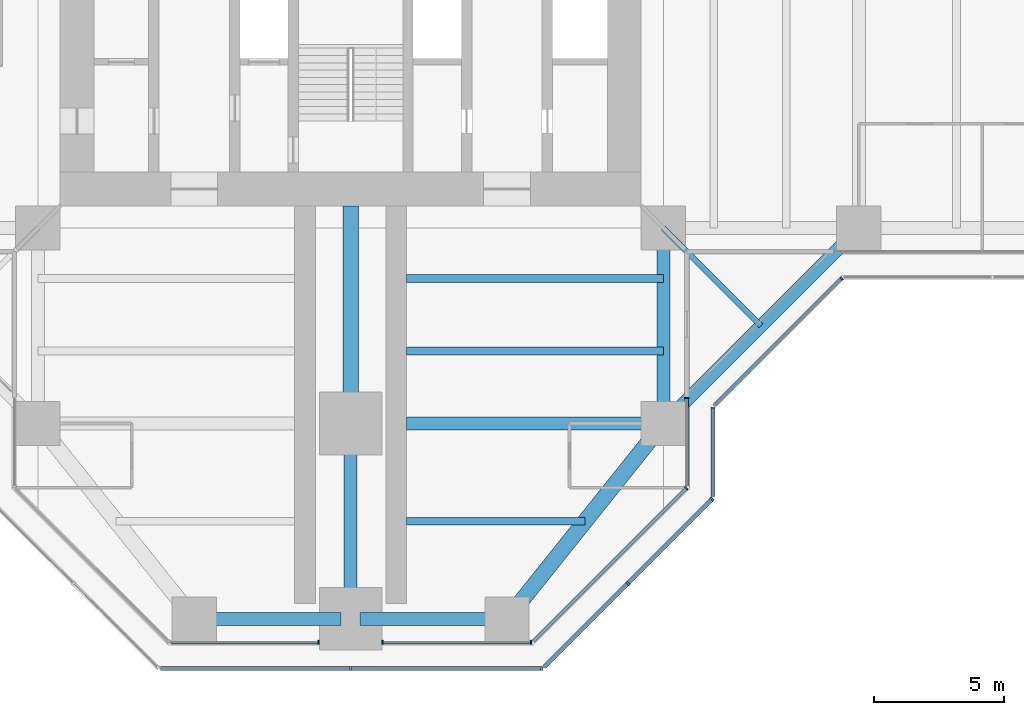
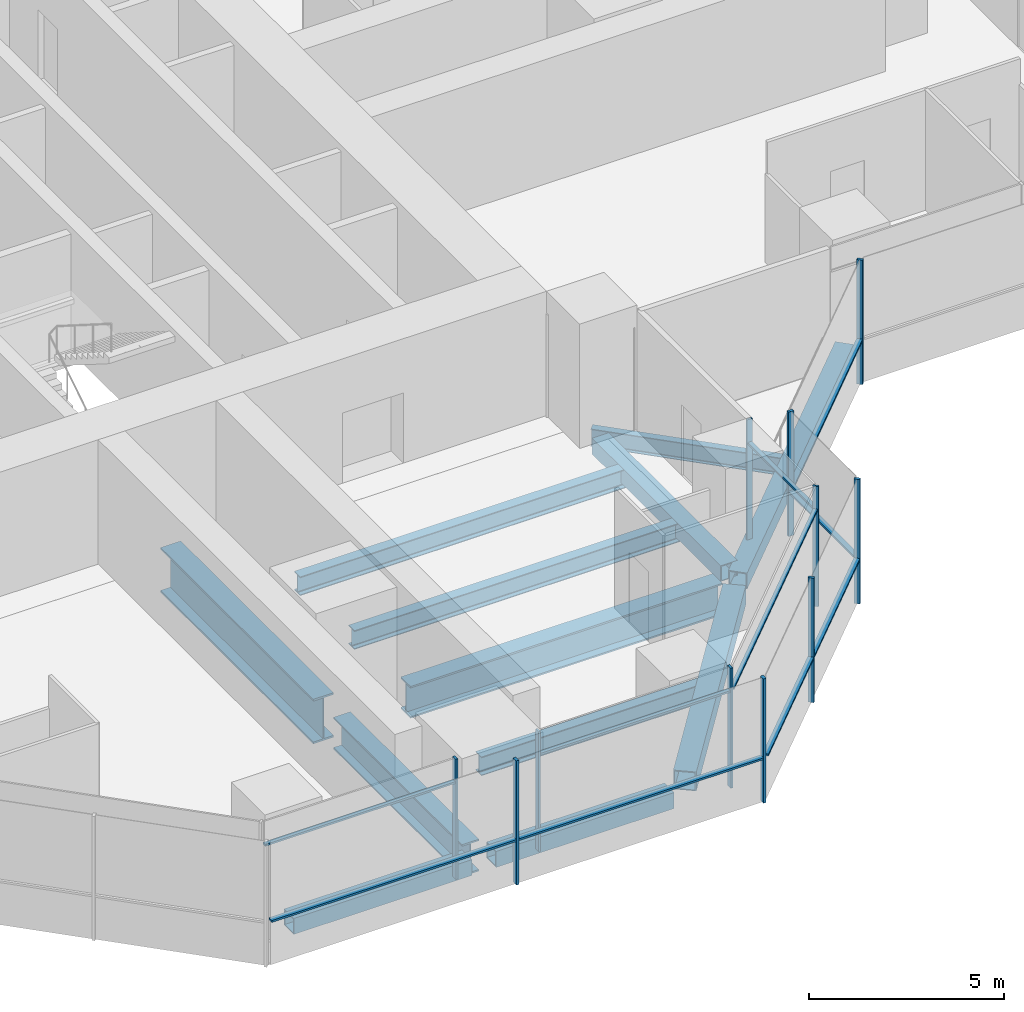
# One storey, part 4 of 20: 21 members, 12 beams, 8 elements without a shape of their own.
"""IFC4 building model written with IfcOpenShell, lengths in metres."""

from ifc_helpers import new_model, si_unit, direction, frame, origin, origin_2d, place, context, subcontext, project, spatial, rectangle, hollow_rectangle, i_section, extrude, material, material_profile, profile_set, type_object, element, aggregate, save


model = new_model("IFC4")

# Units and contexts
model_context = context("Model", 3, precision=1e-05, world=origin(), true_north=direction((0.0, 1.0)))
body_context = subcontext(model_context, "Body", "Model", "MODEL_VIEW")
ifc_project = project(units=[si_unit("LENGTHUNIT", "METRE"), si_unit("AREAUNIT", "SQUARE_METRE"), si_unit("VOLUMEUNIT", "CUBIC_METRE"), si_unit("PLANEANGLEUNIT", "RADIAN"), si_unit("MASSUNIT", "GRAM", prefix="KILO")], contexts=[model_context])

# Site, building, storey
site_placement = place(None, origin())
site = spatial("IfcSite", under=ifc_project, at=site_placement, CompositionType="ELEMENT")
building_placement = place(site_placement, origin())
building = spatial("IfcBuilding", under=site, at=building_placement, Name="Mizan Broadcast Tower", CompositionType="ELEMENT")
storey_placement = place(building_placement, frame((0.0, 0.0, 151.5)))
storey = spatial("IfcBuildingStorey", under=building, at=storey_placement, Name="L34", CompositionType="ELEMENT", Elevation=151.5)

# Beams
ifc_material_1 = material(Name="Steel S355", Category="steel")
ifc_material_profile_1 = material_profile(ifc_material_1, hollow_rectangle(XDim=0.5, YDim=0.5, WallThickness=0.030029296875, at=origin_2d()), Name="BOX 500x500x30")
ifc_profile_set_1 = profile_set([ifc_material_profile_1], Name="Steel S355")
beam_type_1 = type_object("IfcBeamType", Name="EDGE BEAM BOX 500x500x30", PredefinedType="SPANDREL", material=ifc_profile_set_1)
beam_1_placement = place(storey_placement, frame((-5.639892578125, -27.0, -0.3798828125), z_axis=(1.0, 0.0, 0.0), x_axis=(0.0, 1.0, 0.0)))
element("IfcBeam", 1, at=beam_1_placement, inside=storey, type_object=beam_type_1, Name="Edge beam BOX 500x500x30 L34 south arm", PredefinedType="SPANDREL", context=body_context, shape_type="SweptSolid", body=[
    extrude(hollow_rectangle(XDim=0.5, YDim=0.5, WallThickness=0.030029296875, at=origin_2d()), origin(), (0.0, 0.0, 1.0), 5.27978515625),
])
beam_2_placement = place(storey_placement, frame((12.0, -12.449951171875, -0.3798828125), z_axis=(0.0, -1.0, 0.0), x_axis=(1.0, 0.0, 0.0)))
element("IfcBeam", 2, at=beam_2_placement, inside=storey, type_object=beam_type_1, Name="Edge beam BOX 500x500x30 L34 south arm", PredefinedType="SPANDREL", context=body_context, shape_type="SweptSolid", body=[
    extrude(hollow_rectangle(XDim=0.5, YDim=0.5, WallThickness=0.030029296875, at=origin_2d()), origin(), (0.0, 0.0, 1.0), 6.60009765625),
])
beam_3_placement = place(storey_placement, frame((5.639892578125, -27.0, -0.3798828125), z_axis=(-1.0, 0.0, 0.0), x_axis=(0.0, -1.0, 0.0)))
element("IfcBeam", 3, at=beam_3_placement, inside=storey, type_object=beam_type_1, Name="Edge beam BOX 500x500x30 L34 south arm", PredefinedType="SPANDREL", context=body_context, shape_type="SweptSolid", body=[
    extrude(hollow_rectangle(XDim=0.5, YDim=0.5, WallThickness=0.030029296875, at=origin_2d()), origin(), (0.0, 0.0, 1.0), 5.27978515625),
])
beam_4_placement = place(storey_placement, frame((12.0, -19.5, -0.3798828125), z_axis=(0.707106781187, 0.707106781187, 0.0), x_axis=(-0.707106781187, 0.707106781187, 0.0)))
element("IfcBeam", 4, at=beam_4_placement, inside=storey, type_object=beam_type_1, Name="Winter garden edge beam L34 S", PredefinedType="SPANDREL", context=body_context, shape_type="SweptSolid", body=[
    extrude(hollow_rectangle(XDim=0.5, YDim=0.5, WallThickness=0.030029296875, at=origin_2d()), origin(), (0.0, 0.0, 1.0), 10.606689453125),
])
ifc_material_2 = material(Name="Steel S355", Category="steel")
ifc_material_profile_2 = material_profile(ifc_material_2, hollow_rectangle(XDim=0.60009765625, YDim=0.60009765625, WallThickness=0.030029296875, at=origin_2d()), Name="BOX 600x600x30")
ifc_profile_set_2 = profile_set([ifc_material_profile_2], Name="Steel S355")
beam_type_2 = type_object("IfcBeamType", Name="EDGE BEAM BOX 600x600x30", PredefinedType="SPANDREL", material=ifc_profile_set_2)
beam_5_placement = place(storey_placement, frame((11.639892578125, -19.949951171875, -0.429931640625), z_axis=(-0.624673911726, -0.780885717636, 0.0), x_axis=(0.780885717636, -0.624673911726, 0.0)))
element("IfcBeam", 5, at=beam_5_placement, inside=storey, type_object=beam_type_2, Name="Edge beam BOX 600x600x30 L34 south arm", PredefinedType="SPANDREL", context=body_context, shape_type="SweptSolid", body=[
    extrude(hollow_rectangle(XDim=0.60009765625, YDim=0.60009765625, WallThickness=0.030029296875, at=origin_2d()), origin(), (0.0, 0.0, 1.0), 8.4521484375),
])
ifc_material_3 = material(Name="Steel S460", Category="steel")
ifc_material_profile_3 = material_profile(ifc_material_3, i_section(OverallWidth=0.5, OverallDepth=1.0, WebThickness=0.02490234375, FlangeThickness=0.050048828125, at=origin_2d()), Name="WPG 1000x500")
ifc_profile_set_3 = profile_set([ifc_material_profile_3], Name="Steel S460")
beam_type_3 = type_object("IfcBeamType", Name="GIRDER WPG 1000x500", PredefinedType="BEAM", material=ifc_profile_set_3)
beam_6_placement = place(storey_placement, frame((0.0, -19.949951171875, -0.6298828125), z_axis=(0.0, -1.0, 0.0), x_axis=(1.0, 0.0, 0.0)))
element("IfcBeam", 6, at=beam_6_placement, inside=storey, type_object=beam_type_3, Name="Girder WPG 1000x500 L34 south arm", PredefinedType="BEAM", context=body_context, shape_type="SweptSolid", body=[
    extrude(i_section(OverallWidth=0.5, OverallDepth=1.0, WebThickness=0.02490234375, FlangeThickness=0.050048828125, at=origin_2d()), origin(), (0.0, 0.0, 1.0), 6.60009765625),
])
beam_7_placement = place(storey_placement, frame((11.408935546875, -19.5, -0.6298828125), z_axis=(-1.0, 0.0, 0.0), x_axis=(0.0, -1.0, 0.0)))
element("IfcBeam", 7, at=beam_7_placement, inside=storey, type_object=beam_type_3, Name="Girder WPG 1000x500 L34 south arm", PredefinedType="BEAM", context=body_context, shape_type="SweptSolid", body=[
    extrude(i_section(OverallWidth=0.5, OverallDepth=1.0, WebThickness=0.02490234375, FlangeThickness=0.050048828125, at=origin_2d()), origin(), (0.0, 0.0, 1.0), 9.259033203125),
])
ifc_material_4 = material(Name="Steel S460", Category="steel")
ifc_material_profile_4 = material_profile(ifc_material_4, i_section(OverallWidth=0.60009765625, OverallDepth=1.39990234375, WebThickness=0.02490234375, FlangeThickness=0.06005859375, at=origin_2d()), Name="WPG 1400x600")
ifc_profile_set_4 = profile_set([ifc_material_profile_4], Name="Steel S460")
beam_type_4 = type_object("IfcBeamType", Name="GIRDER WPG 1400x600", PredefinedType="BEAM", material=ifc_profile_set_4)
beam_8_placement = place(storey_placement, frame((0.0, -11.14990234375, -0.830078125), z_axis=(0.0, -1.0, 0.0), x_axis=(1.0, 0.0, 0.0)))
element("IfcBeam", 8, at=beam_8_placement, inside=storey, type_object=beam_type_4, Name="Girder WPG 1400x600 L34 south arm", PredefinedType="BEAM", context=body_context, shape_type="SweptSolid", body=[
    extrude(i_section(OverallWidth=0.60009765625, OverallDepth=1.39990234375, WebThickness=0.02490234375, FlangeThickness=0.06005859375, at=origin_2d()), origin(), (0.0, 0.0, 1.0), 7.84912109375),
])

# Curtain wall, member
ifc_material_5 = material(Name="Aluminium framed glazing", Category="aluminium")
curtain_wall_type_1 = type_object("IfcCurtainWallType", Name="INNER SKIN MID ZONE", PredefinedType="USERDEFINED", material=ifc_material_5)
curtain_wall_1_placement = place(storey_placement, origin())
curtain_wall_1 = element("IfcCurtainWall", 9, at=curtain_wall_1_placement, inside=storey, type_object=curtain_wall_type_1, Name="Inner skin mid zone L34 S end", ObjectType="INNER SKIN MID ZONE", PredefinedType="USERDEFINED")
ifc_material_6 = material(Name="Aluminium, pale anodised", Category="aluminium")
ifc_material_profile_5 = material_profile(ifc_material_6, rectangle(XDim=0.159912109375, YDim=0.06005859375, at=origin_2d()), Name="MULLION 160x60")
ifc_profile_set_5 = profile_set([ifc_material_profile_5], Name="Aluminium, pale anodised")
member_type_1 = type_object("IfcMemberType", Name="INNER SKIN MULLION 60x160", PredefinedType="MULLION", material=ifc_profile_set_5)
member_1_placement = place(storey_placement, frame((-1.22998046875, -27.89990234375, 0.0), z_axis=(0.0, 0.0, 1.0), x_axis=(0.0, 1.0, 0.0)))
member_1 = element("IfcMember", 10, at=member_1_placement, type_object=member_type_1, Name="Inner skin mid zone L34 S end mullion 2", PredefinedType="MULLION", context=body_context, shape_type="SweptSolid", body=[
    extrude(rectangle(XDim=0.159912109375, YDim=0.06005859375, at=origin_2d()), origin(), (0.0, 0.0, 1.0), 3.77001953125),
])

# Curtain wall, members
curtain_wall_2_placement = place(storey_placement, origin())
curtain_wall_2 = element("IfcCurtainWall", 11, at=curtain_wall_2_placement, inside=storey, type_object=curtain_wall_type_1, Name="Inner skin mid zone L34 S end", ObjectType="INNER SKIN MID ZONE", PredefinedType="USERDEFINED")
member_2_placement = place(storey_placement, frame((1.22998046875, -27.89990234375, 0.0), z_axis=(0.0, 0.0, 1.0), x_axis=(0.0, 1.0, 0.0)))
member_2 = element("IfcMember", 12, at=member_2_placement, type_object=member_type_1, Name="Inner skin mid zone L34 S end mullion 1", PredefinedType="MULLION", context=body_context, shape_type="SweptSolid", body=[
    extrude(rectangle(XDim=0.159912109375, YDim=0.06005859375, at=origin_2d()), origin(), (0.0, 0.0, 1.0), 3.77001953125),
])
member_3_placement = place(storey_placement, frame((6.928466796875, -27.89990234375, 0.0), z_axis=(0.0, 0.0, 1.0), x_axis=(0.0, 1.0, 0.0)))
member_3 = element("IfcMember", 13, at=member_3_placement, type_object=member_type_1, Name="Inner skin mid zone L34 S end mullion 2", PredefinedType="MULLION", context=body_context, shape_type="SweptSolid", body=[
    extrude(rectangle(XDim=0.159912109375, YDim=0.06005859375, at=origin_2d()), origin(), (0.0, 0.0, 1.0), 3.77001953125),
])

# Curtain wall, member
curtain_wall_3_placement = place(storey_placement, origin())
curtain_wall_3 = element("IfcCurtainWall", 14, at=curtain_wall_3_placement, inside=storey, type_object=curtain_wall_type_1, Name="Inner skin mid zone L34 S chamfer", ObjectType="INNER SKIN MID ZONE", PredefinedType="USERDEFINED")
member_4_placement = place(storey_placement, frame((12.87890625, -21.979736328125, 0.0), z_axis=(0.0, 0.0, 1.0), x_axis=(-0.707106781187, 0.707106781187, 0.0)))
member_4 = element("IfcMember", 15, at=member_4_placement, type_object=member_type_1, Name="Inner skin mid zone L34 S chamfer mullion 2", PredefinedType="MULLION", context=body_context, shape_type="SweptSolid", body=[
    extrude(rectangle(XDim=0.159912109375, YDim=0.06005859375, at=origin_2d()), origin(), (0.0, 0.0, 1.0), 3.77001953125),
])

curtain_wall_4_placement = place(storey_placement, origin())
curtain_wall_4 = element("IfcCurtainWall", 16, at=curtain_wall_4_placement, inside=storey, type_object=curtain_wall_type_1, Name="Inner skin mid zone L34 S side", ObjectType="INNER SKIN MID ZONE", PredefinedType="USERDEFINED")
member_5_placement = place(storey_placement, frame((12.89990234375, -18.530029296875, 0.0), z_axis=(0.0, 0.0, 1.0), x_axis=(-1.0, 0.0, 0.0)))
member_5 = element("IfcMember", 17, at=member_5_placement, type_object=member_type_1, Name="Inner skin mid zone L34 S side mullion 2", PredefinedType="MULLION", context=body_context, shape_type="SweptSolid", body=[
    extrude(rectangle(XDim=0.159912109375, YDim=0.06005859375, at=origin_2d()), origin(), (0.0, 0.0, 1.0), 3.77001953125),
])

# Member
ifc_material_7 = material(Name="Aluminium, pale anodised", Category="aluminium")
ifc_material_profile_6 = material_profile(ifc_material_7, rectangle(XDim=0.1201171875, YDim=0.06005859375, at=origin_2d()), Name="TRANSOM 120x60")
ifc_profile_set_6 = profile_set([ifc_material_profile_6], Name="Aluminium, pale anodised")
member_type_2 = type_object("IfcMemberType", Name="INNER SKIN TRANSOM 60x120", PredefinedType="USERDEFINED", material=ifc_profile_set_6)
member_6_placement = place(storey_placement, frame((-6.898681640625, -27.89990234375, 3.030029296875), z_axis=(1.0, 0.0, 0.0), x_axis=(0.0, 1.0, 0.0)))
member_6 = element("IfcMember", 18, at=member_6_placement, type_object=member_type_2, Name="Inner skin mid zone L34 S end transom 1.1", ObjectType="TRANSOM", PredefinedType="USERDEFINED", context=body_context, shape_type="SweptSolid", body=[
    extrude(rectangle(XDim=0.1201171875, YDim=0.06005859375, at=origin_2d()), origin(), (0.0, 0.0, 1.0), 5.638671875),
])

aggregate(curtain_wall_1, [member_1, member_6])

member_7_placement = place(storey_placement, frame((1.260009765625, -27.89990234375, 3.030029296875), z_axis=(1.0, 0.0, 0.0), x_axis=(0.0, 1.0, 0.0)))
member_7 = element("IfcMember", 19, at=member_7_placement, type_object=member_type_2, Name="Inner skin mid zone L34 S end transom 1.1", ObjectType="TRANSOM", PredefinedType="USERDEFINED", context=body_context, shape_type="SweptSolid", body=[
    extrude(rectangle(XDim=0.1201171875, YDim=0.06005859375, at=origin_2d()), origin(), (0.0, 0.0, 1.0), 5.638671875),
])

aggregate(curtain_wall_2, [member_2, member_3, member_7])

member_8_placement = place(storey_placement, frame((7.0009765625, -27.857666015625, 3.030029296875), z_axis=(0.707106781187, 0.707106781187, 0.0), x_axis=(-0.707106781187, 0.707106781187, 0.0)))
member_8 = element("IfcMember", 20, at=member_8_placement, type_object=member_type_2, Name="Inner skin mid zone L34 S chamfer transom 1.1", ObjectType="TRANSOM", PredefinedType="USERDEFINED", context=body_context, shape_type="SweptSolid", body=[
    extrude(rectangle(XDim=0.1201171875, YDim=0.06005859375, at=origin_2d()), origin(), (0.0, 0.0, 1.0), 8.28271484375),
])

aggregate(curtain_wall_3, [member_4, member_8])

member_9_placement = place(storey_placement, frame((12.89990234375, -21.898681640625, 3.030029296875), z_axis=(0.0, 1.0, 0.0), x_axis=(-1.0, 0.0, 0.0)))
member_9 = element("IfcMember", 21, at=member_9_placement, type_object=member_type_2, Name="Inner skin mid zone L34 S side transom 1.1", ObjectType="TRANSOM", PredefinedType="USERDEFINED", context=body_context, shape_type="SweptSolid", body=[
    extrude(rectangle(XDim=0.1201171875, YDim=0.06005859375, at=origin_2d()), origin(), (0.0, 0.0, 1.0), 3.338623046875),
])

aggregate(curtain_wall_4, [member_5, member_9])

# Curtain wall, members
ifc_material_8 = material(Name="Aluminium framed glazing", Category="aluminium")
curtain_wall_type_2 = type_object("IfcCurtainWallType", Name="OUTER SKIN", PredefinedType="USERDEFINED", material=ifc_material_8)
curtain_wall_5_placement = place(storey_placement, origin())
curtain_wall_5 = element("IfcCurtainWall", 22, at=curtain_wall_5_placement, inside=storey, type_object=curtain_wall_type_2, Name="Outer skin L34 S end", ObjectType="OUTER SKIN", PredefinedType="USERDEFINED")
ifc_material_9 = material(Name="Aluminium, pale anodised", Category="aluminium")
ifc_material_profile_7 = material_profile(ifc_material_9, rectangle(XDim=0.159912109375, YDim=0.080078125, at=origin_2d()), Name="MULLION 160x80")
ifc_profile_set_7 = profile_set([ifc_material_profile_7], Name="Aluminium, pale anodised")
member_type_3 = type_object("IfcMemberType", Name="OUTER SKIN MULLION 80x160", PredefinedType="MULLION", material=ifc_profile_set_7)
member_10_placement = place(storey_placement, frame((0.0, -28.89990234375, 0.0), z_axis=(0.0, 0.0, 1.0), x_axis=(0.0, 1.0, 0.0)))
member_10 = element("IfcMember", 23, at=member_10_placement, type_object=member_type_3, Name="Outer skin L34 S end mullion 2", PredefinedType="MULLION", context=body_context, shape_type="SweptSolid", body=[
    extrude(rectangle(XDim=0.159912109375, YDim=0.080078125, at=origin_2d()), origin(), (0.0, 0.0, 1.0), 3.89990234375),
])
member_11_placement = place(storey_placement, frame((7.332763671875, -28.89990234375, 0.0), z_axis=(0.0, 0.0, 1.0), x_axis=(0.0, 1.0, 0.0)))
member_11 = element("IfcMember", 24, at=member_11_placement, type_object=member_type_3, Name="Outer skin L34 S end mullion 3", PredefinedType="MULLION", context=body_context, shape_type="SweptSolid", body=[
    extrude(rectangle(XDim=0.159912109375, YDim=0.080078125, at=origin_2d()), origin(), (0.0, 0.0, 1.0), 3.89990234375),
])

curtain_wall_6_placement = place(storey_placement, origin())
curtain_wall_6 = element("IfcCurtainWall", 25, at=curtain_wall_6_placement, inside=storey, type_object=curtain_wall_type_2, Name="Outer skin L34 S chamfer", ObjectType="OUTER SKIN", PredefinedType="USERDEFINED")
member_12_placement = place(storey_placement, frame((10.636474609375, -25.636474609375, 0.0), z_axis=(0.0, 0.0, 1.0), x_axis=(-0.707106781187, 0.707106781187, 0.0)))
member_12 = element("IfcMember", 26, at=member_12_placement, type_object=member_type_3, Name="Outer skin L34 S chamfer mullion 2", PredefinedType="MULLION", context=body_context, shape_type="SweptSolid", body=[
    extrude(rectangle(XDim=0.159912109375, YDim=0.080078125, at=origin_2d()), origin(), (0.0, 0.0, 1.0), 3.89990234375),
])
member_13_placement = place(storey_placement, frame((13.871826171875, -22.401123046875, 0.0), z_axis=(0.0, 0.0, 1.0), x_axis=(-0.707106781187, 0.707106781187, 0.0)))
member_13 = element("IfcMember", 27, at=member_13_placement, type_object=member_type_3, Name="Outer skin L34 S chamfer mullion 3", PredefinedType="MULLION", context=body_context, shape_type="SweptSolid", body=[
    extrude(rectangle(XDim=0.159912109375, YDim=0.080078125, at=origin_2d()), origin(), (0.0, 0.0, 1.0), 3.89990234375),
])

# Curtain wall, member
curtain_wall_7_placement = place(storey_placement, origin())
curtain_wall_7 = element("IfcCurtainWall", 28, at=curtain_wall_7_placement, inside=storey, type_object=curtain_wall_type_2, Name="Outer skin L34 S side", ObjectType="OUTER SKIN", PredefinedType="USERDEFINED")
member_14_placement = place(storey_placement, frame((13.89990234375, -18.912841796875, 0.0), z_axis=(0.0, 0.0, 1.0), x_axis=(-1.0, 0.0, 0.0)))
member_14 = element("IfcMember", 29, at=member_14_placement, type_object=member_type_3, Name="Outer skin L34 S side mullion 2", PredefinedType="MULLION", context=body_context, shape_type="SweptSolid", body=[
    extrude(rectangle(XDim=0.159912109375, YDim=0.080078125, at=origin_2d()), origin(), (0.0, 0.0, 1.0), 3.89990234375),
])

curtain_wall_8_placement = place(storey_placement, origin())
curtain_wall_8 = element("IfcCurtainWall", 30, at=curtain_wall_8_placement, inside=storey, type_object=curtain_wall_type_2, Name="Outer skin L34 E chamfer", ObjectType="OUTER SKIN", PredefinedType="USERDEFINED")
member_15_placement = place(storey_placement, frame((18.844482421875, -13.92822265625, 0.0), z_axis=(0.0, 0.0, 1.0), x_axis=(-0.707106781187, 0.707106781187, 0.0)))
member_15 = element("IfcMember", 31, at=member_15_placement, type_object=member_type_3, Name="Outer skin L34 E chamfer mullion 2", PredefinedType="MULLION", context=body_context, shape_type="SweptSolid", body=[
    extrude(rectangle(XDim=0.159912109375, YDim=0.080078125, at=origin_2d()), origin(), (0.0, 0.0, 1.0), 3.89990234375),
])

# Member
ifc_material_10 = material(Name="Aluminium, pale anodised", Category="aluminium")
ifc_material_profile_8 = material_profile(ifc_material_10, rectangle(XDim=0.159912109375, YDim=0.06005859375, at=origin_2d()), Name="TRANSOM 160x60")
ifc_profile_set_8 = profile_set([ifc_material_profile_8], Name="Aluminium, pale anodised")
member_type_4 = type_object("IfcMemberType", Name="OUTER SKIN TRANSOM 60x160", PredefinedType="USERDEFINED", material=ifc_profile_set_8)
member_16_placement = place(storey_placement, frame((-7.292724609375, -28.89990234375, 1.39990234375), z_axis=(1.0, 0.0, 0.0), x_axis=(0.0, 1.0, 0.0)))
member_16 = element("IfcMember", 32, at=member_16_placement, type_object=member_type_4, Name="Outer skin L34 S end transom 1.1", ObjectType="TRANSOM", PredefinedType="USERDEFINED", context=body_context, shape_type="SweptSolid", body=[
    extrude(rectangle(XDim=0.159912109375, YDim=0.06005859375, at=origin_2d()), origin(), (0.0, 0.0, 1.0), 7.252685546875),
])

member_17_placement = place(storey_placement, frame((0.0400390625, -28.89990234375, 1.39990234375), z_axis=(1.0, 0.0, 0.0), x_axis=(0.0, 1.0, 0.0)))
member_17 = element("IfcMember", 33, at=member_17_placement, type_object=member_type_4, Name="Outer skin L34 S end transom 2.1", ObjectType="TRANSOM", PredefinedType="USERDEFINED", context=body_context, shape_type="SweptSolid", body=[
    extrude(rectangle(XDim=0.159912109375, YDim=0.06005859375, at=origin_2d()), origin(), (0.0, 0.0, 1.0), 7.252685546875),
])

aggregate(curtain_wall_5, [member_10, member_11, member_16, member_17])

member_18_placement = place(storey_placement, frame((7.429443359375, -28.843505859375, 1.39990234375), z_axis=(0.707106781187, 0.707106781187, 0.0), x_axis=(-0.707106781187, 0.707106781187, 0.0)))
member_18 = element("IfcMember", 34, at=member_18_placement, type_object=member_type_4, Name="Outer skin L34 S chamfer transom 1.1", ObjectType="TRANSOM", PredefinedType="USERDEFINED", context=body_context, shape_type="SweptSolid", body=[
    extrude(rectangle(XDim=0.159912109375, YDim=0.06005859375, at=origin_2d()), origin(), (0.0, 0.0, 1.0), 4.495361328125),
])

member_19_placement = place(storey_placement, frame((10.664794921875, -25.608154296875, 1.39990234375), z_axis=(0.707106781187, 0.707106781187, 0.0), x_axis=(-0.707106781187, 0.707106781187, 0.0)))
member_19 = element("IfcMember", 35, at=member_19_placement, type_object=member_type_4, Name="Outer skin L34 S chamfer transom 2.1", ObjectType="TRANSOM", PredefinedType="USERDEFINED", context=body_context, shape_type="SweptSolid", body=[
    extrude(rectangle(XDim=0.159912109375, YDim=0.06005859375, at=origin_2d()), origin(), (0.0, 0.0, 1.0), 4.495361328125),
])

aggregate(curtain_wall_6, [member_12, member_13, member_18, member_19])

member_20_placement = place(storey_placement, frame((13.89990234375, -22.292724609375, 1.39990234375), z_axis=(0.0, 1.0, 0.0), x_axis=(-1.0, 0.0, 0.0)))
member_20 = element("IfcMember", 36, at=member_20_placement, type_object=member_type_4, Name="Outer skin L34 S side transom 1.1", ObjectType="TRANSOM", PredefinedType="USERDEFINED", context=body_context, shape_type="SweptSolid", body=[
    extrude(rectangle(XDim=0.159912109375, YDim=0.06005859375, at=origin_2d()), origin(), (0.0, 0.0, 1.0), 3.33984375),
])

aggregate(curtain_wall_7, [member_14, member_20])

member_21_placement = place(storey_placement, frame((13.95654296875, -18.816162109375, 1.39990234375), z_axis=(0.707106781187, 0.707106781187, 0.0), x_axis=(-0.707106781187, 0.707106781187, 0.0)))
member_21 = element("IfcMember", 37, at=member_21_placement, type_object=member_type_4, Name="Outer skin L34 E chamfer transom 1.1", ObjectType="TRANSOM", PredefinedType="USERDEFINED", context=body_context, shape_type="SweptSolid", body=[
    extrude(rectangle(XDim=0.159912109375, YDim=0.06005859375, at=origin_2d()), origin(), (0.0, 0.0, 1.0), 6.87255859375),
])

aggregate(curtain_wall_8, [member_15, member_21])

# Beams
ifc_material_11 = material(Name="Steel S355", Category="steel")
ifc_material_profile_9 = material_profile(ifc_material_11, i_section(OverallWidth=0.300048828125, OverallDepth=0.590087890625, WebThickness=0.012939453125, FlangeThickness=0.02490234375, FilletRadius=0.027099609375, at=origin_2d()), Name="HEA 600")
ifc_profile_set_9 = profile_set([ifc_material_profile_9], Name="Steel S355")
beam_type_5 = type_object("IfcBeamType", Name="SECONDARY BEAM HEA 600", PredefinedType="JOIST", material=ifc_profile_set_9)
for number, where, z_axis, x_axis, name in (
    (38, (12.0, -13.933349609375, -0.425048828125), (-1.0, 0.0, 0.0), (0.0, -1.0, 0.0), "Secondary beam HEA 600 L34 south arm"),
    (39, (12.0, -16.716552734375, -0.425048828125), (-1.0, 0.0, 0.0), (0.0, -1.0, 0.0), "Secondary beam HEA 600 L34 south arm"),
):
    element("IfcBeam", number, at=place(storey_placement, frame(where, z_axis=z_axis, x_axis=x_axis)), inside=storey, type_object=beam_type_5, Name=name, PredefinedType="JOIST", context=body_context, shape_type="SweptSolid", body=[
        extrude(i_section(OverallWidth=0.300048828125, OverallDepth=0.590087890625, WebThickness=0.012939453125, FlangeThickness=0.02490234375, FilletRadius=0.027099609375, at=origin_2d()), origin(), (0.0, 0.0, 1.0), 9.85009765625),
    ])
beam_9_placement = place(storey_placement, frame((9.0, -23.25, -0.425048828125), z_axis=(-1.0, 0.0, 0.0), x_axis=(0.0, -1.0, 0.0)))
element("IfcBeam", 40, at=beam_9_placement, inside=storey, type_object=beam_type_5, Name="Secondary beam HEA 600 L34 south arm", PredefinedType="JOIST", context=body_context, shape_type="SweptSolid", body=[
    extrude(i_section(OverallWidth=0.300048828125, OverallDepth=0.590087890625, WebThickness=0.012939453125, FlangeThickness=0.02490234375, FilletRadius=0.027099609375, at=origin_2d()), origin(), (0.0, 0.0, 1.0), 6.85009765625),
])
ifc_material_12 = material(Name="Steel S355", Category="steel")
ifc_material_profile_10 = material_profile(ifc_material_12, i_section(OverallWidth=0.2099609375, OverallDepth=0.550048828125, WebThickness=0.010986328125, FlangeThickness=0.01708984375, FilletRadius=0.02392578125, at=origin_2d()), Name="IPE 550")
ifc_profile_set_10 = profile_set([ifc_material_profile_10], Name="Steel S355")
beam_type_6 = type_object("IfcBeamType", Name="SECONDARY BEAM IPE 550", PredefinedType="JOIST", material=ifc_profile_set_10)
beam_10_placement = place(storey_placement, frame((12.0, -12.0, -0.405029296875), z_axis=(0.707106781187, -0.707106781187, 0.0), x_axis=(0.707106781187, 0.707106781187, 0.0)))
element("IfcBeam", 41, at=beam_10_placement, inside=storey, type_object=beam_type_6, Name="Winter garden beam L34 S", PredefinedType="JOIST", context=body_context, shape_type="SweptSolid", body=[
    extrude(i_section(OverallWidth=0.2099609375, OverallDepth=0.550048828125, WebThickness=0.010986328125, FlangeThickness=0.01708984375, FilletRadius=0.02392578125, at=origin_2d()), origin(), (0.0, 0.0, 1.0), 5.30322265625),
])

save(model, "model.ifc")
